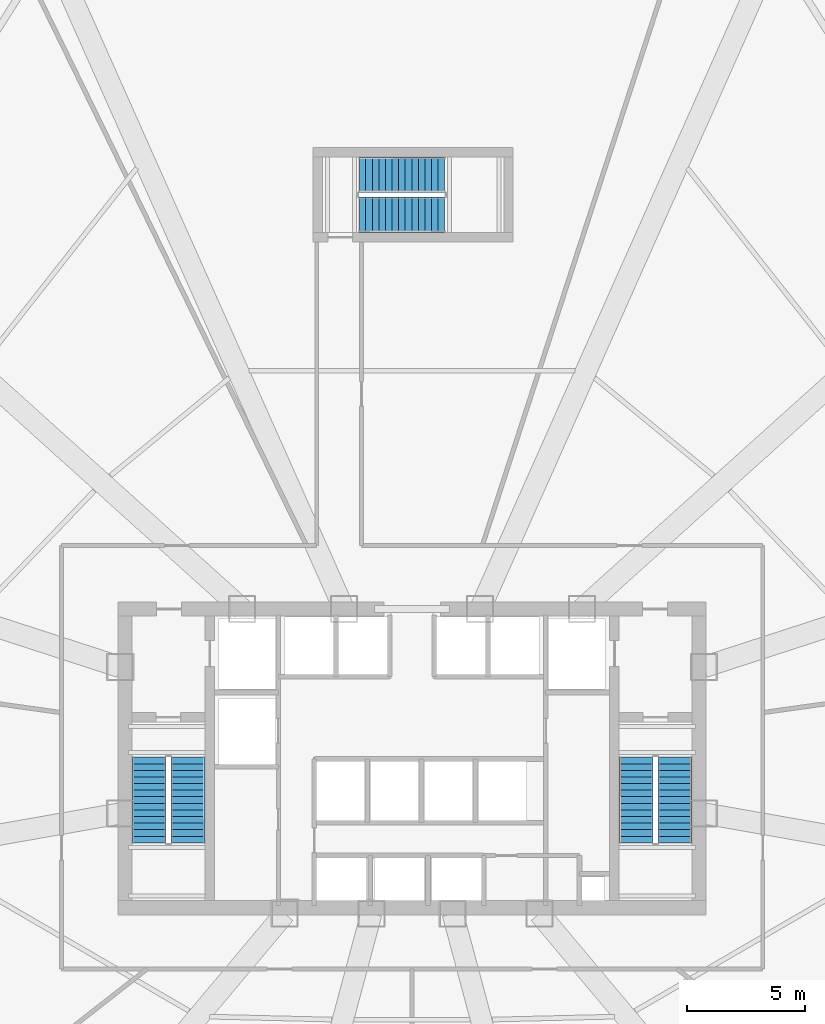
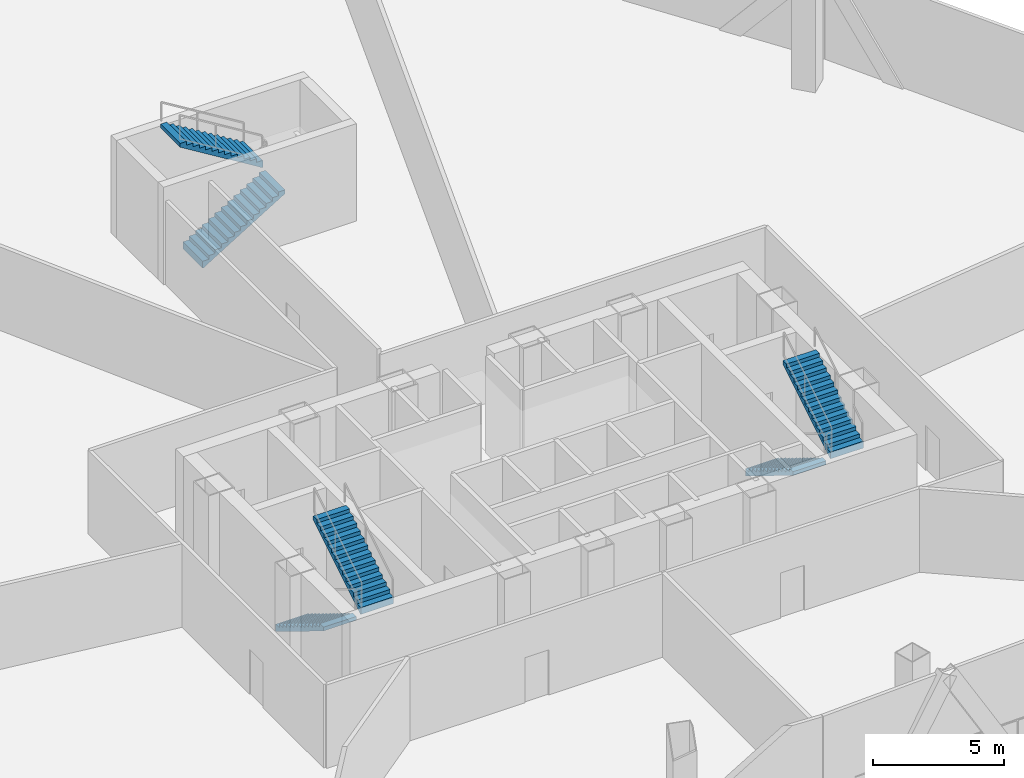
# One storey, part 9 of 15: 6 stair flights, 3 elements without a shape of their own.
"""IFC4 building model written with IfcOpenShell, lengths in metres."""

from ifc_helpers import new_model, si_unit, direction, frame, origin, place, context, subcontext, project, spatial, polyline, outline, extrude, source, transform, mapped, material, type_object, element, aggregate, save


model = new_model("IFC4")

# Units and contexts
model_context = context("Model", 3, precision=1e-05, world=origin(), true_north=direction((0.0, 1.0)))
body_context = subcontext(model_context, "Body", "Model", "MODEL_VIEW")
ifc_project = project(units=[si_unit("LENGTHUNIT", "METRE"), si_unit("AREAUNIT", "SQUARE_METRE"), si_unit("VOLUMEUNIT", "CUBIC_METRE"), si_unit("PLANEANGLEUNIT", "RADIAN"), si_unit("MASSUNIT", "GRAM", prefix="KILO"), si_unit("THERMODYNAMICTEMPERATUREUNIT", "KELVIN"), si_unit("POWERUNIT", "WATT")], contexts=[model_context])

# Site, building, storey
site_placement = place(None, origin())
site = spatial("IfcSite", under=ifc_project, at=site_placement, CompositionType="ELEMENT")
building_placement = place(site_placement, origin())
building = spatial("IfcBuilding", under=site, at=building_placement, Name="Yunzhuo Pagoda Commons", CompositionType="ELEMENT")
storey_placement = place(building_placement, frame((0.0, 0.0, 125.030029296875)))
storey = spatial("IfcBuildingStorey", under=building, at=storey_placement, Name="L31", CompositionType="ELEMENT", Elevation=125.030029296875)

# Stair, stair flights
ifc_material = material(Name="Concrete C40", Category="concrete")
stair_type_1 = type_object("IfcStairType", Name="ST-C1 Core Smokeproof Stair ST1", PredefinedType="HALF_TURN_STAIR", material=ifc_material)
stair_1_placement = place(storey_placement, origin())
stair_1 = element("IfcStair", 1, at=stair_1_placement, inside=storey, type_object=stair_type_1, Name="L31 Core smokeproof stair ST1", PredefinedType="HALF_TURN_STAIR")
stair_flight_type_1 = type_object("IfcStairFlightType", Name="STF-C1 Core Stair Flight 1450", PredefinedType="STRAIGHT", material=ifc_material)
shared_shape_1 = source(origin(), body_context, "Body", "SweptSolid", [
    extrude(outline(polyline([(0.0, -0.14990234375), (0.0, 0.0), (0.0, 0.17138671875), (0.280029296875, 0.17138671875), (0.280029296875, 0.3427734375), (0.56005859375, 0.3427734375), (0.56005859375, 0.514404296875), (0.840087890625, 0.514404296875), (0.840087890625, 0.685791015625), (1.1201171875, 0.685791015625), (1.1201171875, 0.857177734375), (1.39990234375, 0.857177734375), (1.39990234375, 1.028564453125), (1.679931640625, 1.028564453125), (1.679931640625, 1.199951171875), (1.9599609375, 1.199951171875), (1.9599609375, 1.371337890625), (2.239990234375, 1.371337890625), (2.239990234375, 1.54296875), (2.52001953125, 1.54296875), (2.52001953125, 1.71435546875), (2.800048828125, 1.71435546875), (2.800048828125, 1.8857421875), (3.080078125, 1.8857421875), (3.080078125, 2.05712890625), (3.360107421875, 2.05712890625), (3.360107421875, 2.228515625), (3.639892578125, 2.228515625), (3.639892578125, 2.39990234375), (3.639892578125, 2.052734375), (0.287109375, 0.0), (0.050048828125, -0.14990234375), (0.0, -0.14990234375)])), frame((0.0, 0.72509765625, 0.0), z_axis=(0.0, -1.0, 0.0), x_axis=(1.0, 0.0, 0.0)), (0.0, 0.0, 1.0), 1.449951171875),
])
stair_flight_1_placement = place(storey_placement, frame((36.824951171875, 33.89990234375, 0.0), z_axis=(0.0, 0.0, 1.0), x_axis=(0.0, -1.0, 0.0)))
stair_flight_1 = element("IfcStairFlight", 2, at=stair_flight_1_placement, type_object=stair_flight_type_1, Name="ST1 flight 1", NumberOfRisers=14, NumberOfTreads=13, PredefinedType="STRAIGHT", RiserHeight=0.171428571, TreadLength=0.28, context=body_context, shape_type="MappedRepresentation", body=[
    mapped(shared_shape_1, transform((0.0, 0.0, 0.0), scale=1.0)),
])
stair_flight_2_placement = place(storey_placement, frame((38.47509765625, 30.260009765625, 2.39990234375), z_axis=(0.0, 0.0, 1.0), x_axis=(0.0, 1.0, 0.0)))
stair_flight_2 = element("IfcStairFlight", 3, at=stair_flight_2_placement, type_object=stair_flight_type_1, Name="ST1 flight 2", NumberOfRisers=14, NumberOfTreads=13, PredefinedType="STRAIGHT", RiserHeight=0.171428571, TreadLength=0.28, context=body_context, shape_type="MappedRepresentation", body=[
    mapped(shared_shape_1, transform((0.0, 0.0, 0.0), scale=1.0)),
])
aggregate(stair_1, [stair_flight_1, stair_flight_2])

stair_type_2 = type_object("IfcStairType", Name="ST-C2 Core Smokeproof Stair ST2", PredefinedType="HALF_TURN_STAIR", material=ifc_material)
stair_2_placement = place(storey_placement, origin())
stair_2 = element("IfcStair", 4, at=stair_2_placement, inside=storey, type_object=stair_type_2, Name="L31 Core smokeproof stair ST2", PredefinedType="HALF_TURN_STAIR")
stair_flight_type_2 = type_object("IfcStairFlightType", Name="STF-C2 Core Stair Flight 1460", PredefinedType="STRAIGHT", material=ifc_material)
stair_flight_3_placement = place(storey_placement, frame((57.52490234375, 33.89990234375, 0.0), z_axis=(0.0, 0.0, 1.0), x_axis=(0.0, -1.0, 0.0)))
stair_flight_3 = element("IfcStairFlight", 5, at=stair_flight_3_placement, type_object=stair_flight_type_2, Name="ST2 flight 1", NumberOfRisers=14, NumberOfTreads=13, PredefinedType="STRAIGHT", RiserHeight=0.171428571, TreadLength=0.28, context=body_context, shape_type="MappedRepresentation", body=[
    mapped(shared_shape_1, transform((0.0, 0.0, 0.0), scale=1.0)),
])
stair_flight_4_placement = place(storey_placement, frame((59.175048828125, 30.260009765625, 2.39990234375), z_axis=(0.0, 0.0, 1.0), x_axis=(0.0, 1.0, 0.0)))
stair_flight_4 = element("IfcStairFlight", 6, at=stair_flight_4_placement, type_object=stair_flight_type_2, Name="ST2 flight 2", NumberOfRisers=14, NumberOfTreads=13, PredefinedType="STRAIGHT", RiserHeight=0.171428571, TreadLength=0.28, context=body_context, shape_type="MappedRepresentation", body=[
    mapped(shared_shape_1, transform((0.0, 0.0, 0.0), scale=1.0)),
])
aggregate(stair_2, [stair_flight_3, stair_flight_4])

stair_type_3 = type_object("IfcStairType", Name="ST-C3 North Tower Smokeproof Stair ST3", PredefinedType="HALF_TURN_STAIR", material=ifc_material)
stair_3_placement = place(storey_placement, origin())
stair_3 = element("IfcStair", 7, at=stair_3_placement, inside=storey, type_object=stair_type_3, Name="L31 North tower smokeproof stair ST3", PredefinedType="HALF_TURN_STAIR")
stair_flight_type_3 = type_object("IfcStairFlightType", Name="STF-C3 North Stair Flight 1500", PredefinedType="STRAIGHT", material=ifc_material)
shared_shape_2 = source(origin(), body_context, "Body", "SweptSolid", [
    extrude(outline(polyline([(0.0, -0.14990234375), (0.0, 0.0), (0.0, 0.17138671875), (0.280029296875, 0.17138671875), (0.280029296875, 0.3427734375), (0.56005859375, 0.3427734375), (0.56005859375, 0.514404296875), (0.840087890625, 0.514404296875), (0.840087890625, 0.685791015625), (1.1201171875, 0.685791015625), (1.1201171875, 0.857177734375), (1.39990234375, 0.857177734375), (1.39990234375, 1.028564453125), (1.679931640625, 1.028564453125), (1.679931640625, 1.199951171875), (1.9599609375, 1.199951171875), (1.9599609375, 1.371337890625), (2.239990234375, 1.371337890625), (2.239990234375, 1.54296875), (2.52001953125, 1.54296875), (2.52001953125, 1.71435546875), (2.800048828125, 1.71435546875), (2.800048828125, 1.8857421875), (3.080078125, 1.8857421875), (3.080078125, 2.05712890625), (3.360107421875, 2.05712890625), (3.360107421875, 2.228515625), (3.639892578125, 2.228515625), (3.639892578125, 2.39990234375), (3.639892578125, 2.052734375), (0.287109375, 0.0), (0.050048828125, -0.14990234375), (0.0, -0.14990234375)])), frame((0.0, 0.75, 0.0), z_axis=(0.0, -1.0, 0.0), x_axis=(1.0, 0.0, 0.0)), (0.0, 0.0, 1.0), 1.5),
])
stair_flight_5_placement = place(storey_placement, frame((45.75, 56.949951171875, 0.0), z_axis=(0.0, 0.0, 1.0), x_axis=(1.0, 0.0, 0.0)))
stair_flight_5 = element("IfcStairFlight", 8, at=stair_flight_5_placement, type_object=stair_flight_type_3, Name="ST3 flight 1", NumberOfRisers=14, NumberOfTreads=13, PredefinedType="STRAIGHT", RiserHeight=0.171428571, TreadLength=0.28, context=body_context, shape_type="MappedRepresentation", body=[
    mapped(shared_shape_2, transform((0.0, 0.0, 0.0), scale=1.0)),
])
stair_flight_6_placement = place(storey_placement, frame((49.389892578125, 58.64990234375, 2.39990234375), z_axis=(0.0, 0.0, 1.0), x_axis=(-1.0, 0.0, 0.0)))
stair_flight_6 = element("IfcStairFlight", 9, at=stair_flight_6_placement, type_object=stair_flight_type_3, Name="ST3 flight 2", NumberOfRisers=14, NumberOfTreads=13, PredefinedType="STRAIGHT", RiserHeight=0.171428571, TreadLength=0.28, context=body_context, shape_type="MappedRepresentation", body=[
    mapped(shared_shape_2, transform((0.0, 0.0, 0.0), scale=1.0)),
])
aggregate(stair_3, [stair_flight_5, stair_flight_6])

save(model, "model.ifc")
